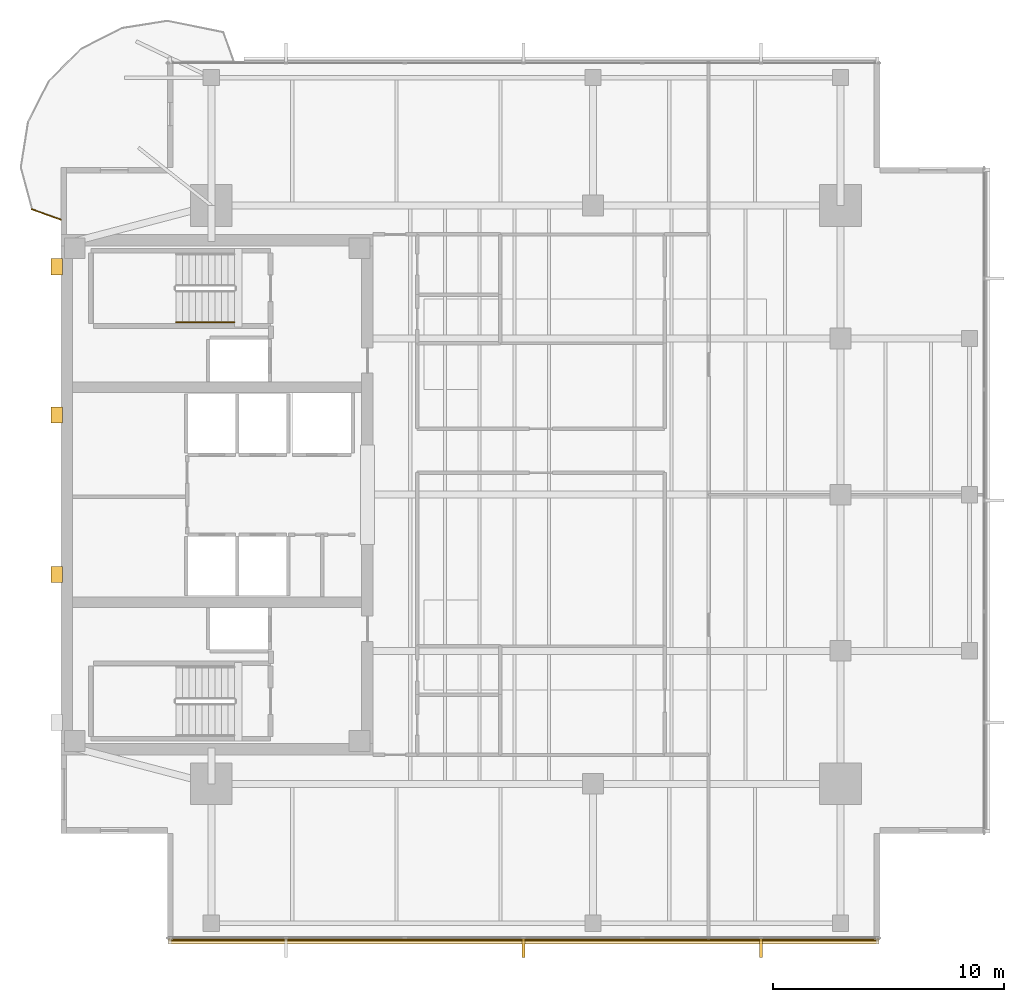
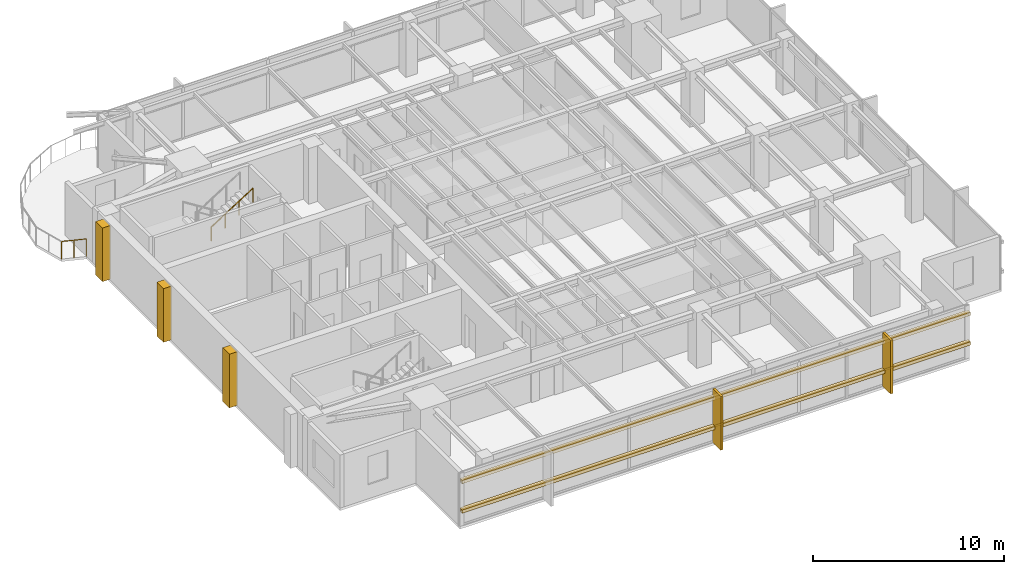
# One storey, part 12 of 14: 7 coverings, 2 railings, 2 shading devices.
"""IFC4 building model written with IfcOpenShell, lengths in metres."""

import ifcopenshell
import ifcopenshell.guid

model = None  # the IFC model being written
_history = None  # IfcOwnerHistory: only IFC2X3 demands one
_inside = {}  # id of a spatial element -> (the spatial element, [elements in it])
_under = {}  # id of a project, library or spatial element -> (it, [spatial elements below it])
_declared = {}  # id of a project -> (the project, [libraries it declares])
_typed = {}  # id of a type object -> (the type object, [elements of that type])
_made_of = {}  # id of a material, layer set ... -> (it, [elements and type objects made of it])


def new_model(schema):
    """Start an empty IFC model of exactly this schema.

    Asked for "IFC4X3", IfcOpenShell would pick the latest addendum, in which some entities
    have other attributes; the version numbers below select the first issue.
    IFC2X3 requires an IfcOwnerHistory on every rooted entity: one is made here for all.
    """
    global model, _history
    if schema == "IFC4X3":
        model = ifcopenshell.file(schema_version=(4, 3, 0, 0))
    else:
        model = ifcopenshell.file(schema=schema)
    _inside.clear()
    _under.clear()
    _declared.clear()
    _typed.clear()
    _made_of.clear()
    _history = None
    if model.schema == "IFC2X3":
        org = make("IfcOrganization", Name="unknown")
        user = make(
            "IfcPersonAndOrganization",
            ThePerson=make("IfcPerson", FamilyName="unknown"),
            TheOrganization=org,
        )
        app = make(
            "IfcApplication",
            ApplicationDeveloper=org,
            Version="unknown",
            ApplicationFullName="unknown",
            ApplicationIdentifier="unknown",
        )
        _history = make(
            "IfcOwnerHistory",
            OwningUser=user,
            OwningApplication=app,
            ChangeAction="ADDED",
            CreationDate=0,
        )
    return model


def make(cls, **values):
    """One entity of the class cls with the attributes given. An attribute that is None is left unset."""
    return model.create_entity(
        cls, **{name: value for name, value in values.items() if value is not None}
    )


def rooted(cls, **values):
    """An entity with a GlobalId (a new one), such as an element, a storey or a relation."""
    return make(cls, GlobalId=ifcopenshell.guid.new(), OwnerHistory=_history, **values)


def si_unit(unit_type, name, prefix=None):
    """IfcSIUnit, for example si_unit("LENGTHUNIT", "METRE", prefix="MILLI")."""
    return make("IfcSIUnit", UnitType=unit_type, Prefix=prefix, Name=name)


def assignment(units):
    """IfcUnitAssignment: the units of a project."""
    return None if units is None else make("IfcUnitAssignment", Units=units)


def point(xyz):
    """IfcCartesianPoint."""
    return None if xyz is None else make("IfcCartesianPoint", Coordinates=xyz)


def direction(xyz):
    """IfcDirection."""
    return None if xyz is None else make("IfcDirection", DirectionRatios=xyz)


def frame(location, z_axis=None, x_axis=None):
    """IfcAxis2Placement3D, a coordinate frame: its origin and axes. An axis left out is left unset."""
    return make(
        "IfcAxis2Placement3D",
        Location=point(location),
        Axis=direction(z_axis),
        RefDirection=direction(x_axis),
    )


def frame_2d(location, x_axis=None):
    """IfcAxis2Placement2D, a coordinate frame in the plane: its origin and x axis."""
    return make(
        "IfcAxis2Placement2D", Location=point(location), RefDirection=direction(x_axis)
    )


def origin():
    """The frame at (0, 0, 0) with its axes left unset."""
    return frame((0.0, 0.0, 0.0))


def origin_2d():
    """The frame at (0, 0) in the plane with its x axis left unset."""
    return frame_2d((0.0, 0.0))


def place(relative_to, where):
    """IfcLocalPlacement: puts the frame where relative to a parent placement (None: the world)."""
    return make(
        "IfcLocalPlacement", PlacementRelTo=relative_to, RelativePlacement=where
    )


def context(
    kind, dimensions, precision=None, world=None, true_north=None, identifier=None
):
    """IfcGeometricRepresentationContext, for example the 3D "Model" context."""
    return make(
        "IfcGeometricRepresentationContext",
        ContextIdentifier=identifier,
        ContextType=kind,
        CoordinateSpaceDimension=dimensions,
        Precision=precision,
        WorldCoordinateSystem=world,
        TrueNorth=true_north,
    )


def subcontext(parent, identifier, kind, view, scale=None):
    """IfcGeometricRepresentationSubContext, for example "Body" below "Model"."""
    return make(
        "IfcGeometricRepresentationSubContext",
        ContextIdentifier=identifier,
        ContextType=kind,
        ParentContext=parent,
        TargetScale=scale,
        TargetView=view,
    )


def project(units=None, contexts=None):
    """IfcProject with its units and contexts."""
    return rooted(
        "IfcProject",
        Name="project",
        RepresentationContexts=contexts,
        UnitsInContext=assignment(units),
    )


def spatial(cls, under=None, at=None, **own):
    """A site, building, storey or space (cls), placed at a placement, below another one or the project."""
    s = rooted(cls, ObjectPlacement=at, **own)
    if under is not None:
        _under.setdefault(under.id(), (under, []))[1].append(s)
    return s


def polyline(points):
    """IfcPolyline through the points."""
    return make("IfcPolyline", Points=[point(p) for p in points])


def profile(cls, at=None, kind="AREA", **sizes):
    """A parametric profile (cls). Its sizes go by their IFC names, for example OverallWidth=200.0."""
    return make(cls, ProfileType=kind, Position=at, **sizes)


def rectangle(**sizes):
    """IfcRectangleProfileDef."""
    return profile("IfcRectangleProfileDef", **sizes)


def circle(**sizes):
    """IfcCircleProfileDef."""
    return profile("IfcCircleProfileDef", **sizes)


def outline(outer, holes=None, kind="AREA"):
    """IfcArbitraryClosedProfileDef: a profile drawn as a closed curve; with holes, ...WithVoids."""
    if holes is None:
        return make("IfcArbitraryClosedProfileDef", ProfileType=kind, OuterCurve=outer)
    return make(
        "IfcArbitraryProfileDefWithVoids",
        ProfileType=kind,
        OuterCurve=outer,
        InnerCurves=holes,
    )


def extrude(swept, where, along, depth):
    """IfcExtrudedAreaSolid: the profile swept, set in the frame where, extruded along a direction by depth."""
    return make(
        "IfcExtrudedAreaSolid",
        SweptArea=swept,
        Position=where,
        ExtrudedDirection=direction(along),
        Depth=depth,
    )


def shape(context_of_items, identifier, shape_type, items):
    """IfcShapeRepresentation: the items that make up one representation, for example the "Body"."""
    return make(
        "IfcShapeRepresentation",
        ContextOfItems=context_of_items,
        RepresentationIdentifier=identifier,
        RepresentationType=shape_type,
        Items=items,
    )


def material(Name=None, Category=None):
    """IfcMaterial."""
    return make("IfcMaterial", Name=Name, Category=Category)


def layer(
    of_material, thickness, ventilated=None, Name=None, Category=None, Priority=None
):
    """IfcMaterialLayer: one layer of a wall or slab, of a material (None: an air gap)."""
    return make(
        "IfcMaterialLayer",
        Material=of_material,
        LayerThickness=thickness,
        IsVentilated=ventilated,
        Name=Name,
        Category=Category,
        Priority=Priority,
    )


def layer_set(layers, Name=None):
    """IfcMaterialLayerSet."""
    return make("IfcMaterialLayerSet", MaterialLayers=layers, LayerSetName=Name)


def material_profile(
    of_material, cross_section, Name=None, Category=None, Priority=None
):
    """IfcMaterialProfile: a cross section and its material."""
    return make(
        "IfcMaterialProfile",
        Name=Name,
        Material=of_material,
        Profile=cross_section,
        Priority=Priority,
        Category=Category,
    )


def profile_set(profiles, Name=None, composite=None):
    """IfcMaterialProfileSet."""
    return make(
        "IfcMaterialProfileSet",
        Name=Name,
        MaterialProfiles=profiles,
        CompositeProfile=composite,
    )


def made_of(thing, what):
    """Note that an element or type object is made of a material, layer set ...; save() writes the relation."""
    if what is not None:
        _made_of.setdefault(what.id(), (what, []))[1].append(thing)
    return thing


def type_object(cls, material=None, **own):
    """A type object (cls), such as IfcWallType, which elements share."""
    return made_of(rooted(cls, **own), material)


def element(
    cls,
    number,
    at=None,
    inside=None,
    cuts=None,
    type_object=None,
    material=None,
    context=None,
    identifier="Body",
    shape_type=None,
    held_by="IfcProductDefinitionShape",
    body=None,
    shapes=None,
    **own,
):
    """One element of the class cls, such as IfcWall. Its Tag is "e" and its number.

    at: its placement. inside: the storey or other place that contains it. cuts: it is an
    opening in that element (IfcRelVoidsElement). A single representation is given by context,
    identifier, shape_type and body (its items); several are given by shapes. held_by: the class
    of the entity that holds the representations. save() writes the other relations.
    """
    e = rooted(cls, Tag="e%d" % number, ObjectPlacement=at, **own)
    if body is not None:
        shapes = [shape(context, identifier, shape_type, body)]
    if shapes is not None:
        e.Representation = make(held_by, Representations=shapes)
    if inside is not None:
        _inside.setdefault(inside.id(), (inside, []))[1].append(e)
    if cuts is not None:
        rooted(
            "IfcRelVoidsElement", RelatingBuildingElement=cuts, RelatedOpeningElement=e
        )
    if type_object is not None:
        _typed.setdefault(type_object.id(), (type_object, []))[1].append(e)
    return made_of(e, material)


def aggregate(whole, parts):
    """IfcRelAggregates: a whole, such as a stair, and the parts it consists of."""
    return rooted("IfcRelAggregates", RelatingObject=whole, RelatedObjects=parts)


def save(model, path):
    """Write the relations noted so far, then the file.

    IfcRelAggregates (storeys below a building ...), IfcRelContainedInSpatialStructure (elements
    in a storey), IfcRelDefinesByType, IfcRelAssociatesMaterial and IfcRelDeclares: one each for
    every whole, place, type object, material and project.
    """
    for whole, parts in _under.values():
        aggregate(whole, parts)
    for where, things in _inside.values():
        rooted(
            "IfcRelContainedInSpatialStructure",
            RelatedElements=things,
            RelatingStructure=where,
        )
    for kind, things in _typed.values():
        rooted("IfcRelDefinesByType", RelatedObjects=things, RelatingType=kind)
    for what, things in _made_of.values():
        rooted("IfcRelAssociatesMaterial", RelatedObjects=things, RelatingMaterial=what)
    for by, libraries in _declared.values():
        rooted("IfcRelDeclares", RelatingContext=by, RelatedDefinitions=libraries)
    model.write(path)


model = new_model("IFC4")

# Units and contexts
model_context = context("Model", 3, precision=1e-05, world=origin(), true_north=direction((0.0, 1.0)))
body_context = subcontext(model_context, "Body", "Model", "MODEL_VIEW")
ifc_project = project(units=[si_unit("LENGTHUNIT", "METRE"), si_unit("AREAUNIT", "SQUARE_METRE"), si_unit("VOLUMEUNIT", "CUBIC_METRE"), si_unit("PLANEANGLEUNIT", "RADIAN"), si_unit("MASSUNIT", "GRAM", prefix="KILO")], contexts=[model_context])

# Site, building, storey
site_placement = place(None, origin())
site = spatial("IfcSite", under=ifc_project, at=site_placement, CompositionType="ELEMENT")
building_placement = place(site_placement, origin())
building = spatial("IfcBuilding", under=site, at=building_placement, Name="Kinhvarn Gate Tower", CompositionType="ELEMENT")
storey_placement = place(building_placement, frame((0.0, 0.0, 267.0)))
storey = spatial("IfcBuildingStorey", under=building, at=storey_placement, Name="L71", CompositionType="ELEMENT", Elevation=267.0)

# Coverings
ifc_material_1 = material(Name="Fired architectural terracotta", Category="masonry")
ifc_layer_1 = layer(ifc_material_1, 0.239990234375)
ifc_layer_set_1 = layer_set([ifc_layer_1], Name="Fired architectural terracotta")
covering_type_1 = type_object("IfcCoveringType", Name="COV-BAG-220", PredefinedType="CLADDING", material=ifc_layer_set_1)
for number, where, name in (
    (1, (0.0, 0.0, 0.93994140625), "Terracotta Horizontal Sunscreen Band TBG-220 (L71)"),
    (2, (0.0, 0.0, 2.830078125), "Terracotta Horizontal Sunscreen Band TBG-220 (L71)"),
):
    element("IfcCovering", number, at=place(storey_placement, frame(where)), inside=storey, type_object=covering_type_1, Name=name, PredefinedType="CLADDING", context=body_context, shape_type="SweptSolid", body=[
        extrude(outline(polyline([(9.139892578125, 6.070068359375), (39.860107421875, 6.070068359375), (39.860107421875, 5.830078125), (9.139892578125, 5.830078125), (9.139892578125, 6.070068359375)])), origin(), (0.0, 0.0, 1.0), 0.219970703125),
    ])
ifc_layer_2 = layer(ifc_material_1, 0.139892578125)
ifc_layer_set_2 = layer_set([ifc_layer_2], Name="Fired architectural terracotta")
covering_type_2 = type_object("IfcCoveringType", Name="COV-FIN-850", PredefinedType="CLADDING", material=ifc_layer_set_2)
covering_1_placement = place(storey_placement, frame((0.0, 0.0, -0.02001953125)))
element("IfcCovering", 3, at=covering_1_placement, inside=storey, type_object=covering_type_2, Name="Vertical Terracotta Expressive Fin TFN-850 (L71)", PredefinedType="CLADDING", context=body_context, shape_type="SweptSolid", body=[
    extrude(outline(polyline([(24.429931640625, 6.080078125), (24.570068359375, 6.080078125), (24.570068359375, 5.22998046875), (24.429931640625, 5.22998046875), (24.429931640625, 6.080078125)])), origin(), (0.0, 0.0, 1.0), 3.429931640625),
])
covering_2_placement = place(storey_placement, frame((0.0, 0.0, -0.02001953125)))
element("IfcCovering", 4, at=covering_2_placement, inside=storey, type_object=covering_type_2, Name="Vertical Terracotta Expressive Fin TFN-850 (L71)", PredefinedType="CLADDING", context=body_context, shape_type="SweptSolid", body=[
    extrude(outline(polyline([(34.69677734375, 6.080078125), (34.836669921875, 6.080078125), (34.836669921875, 5.22998046875), (34.69677734375, 5.22998046875), (34.69677734375, 6.080078125)])), origin(), (0.0, 0.0, 1.0), 3.429931640625),
])
ifc_material_2 = material(Name="Precast white architectural concrete C40/50", Category="concrete")
ifc_layer_3 = layer(ifc_material_2, 0.47998046875)
ifc_layer_set_3 = layer_set([ifc_layer_3], Name="Precast white architectural concrete C40/50")
covering_type_3 = type_object("IfcCoveringType", Name="COV-RIB-450", PredefinedType="CLADDING", material=ifc_layer_set_3)
covering_3_placement = place(storey_placement, frame((0.0, 0.0, -0.02001953125)))
element("IfcCovering", 5, at=covering_3_placement, inside=storey, type_object=covering_type_3, Name="West Core Sculptural Concrete Relief Rib CRB-450 (L71)", PredefinedType="CLADDING", context=body_context, shape_type="SweptSolid", body=[
    extrude(outline(polyline([(4.080078125, 21.449951171875), (4.56005859375, 21.449951171875), (4.56005859375, 22.14990234375), (4.080078125, 22.14990234375), (4.080078125, 21.449951171875)])), origin(), (0.0, 0.0, 1.0), 3.429931640625),
])
covering_4_placement = place(storey_placement, frame((0.0, 0.0, -0.02001953125)))
element("IfcCovering", 6, at=covering_4_placement, inside=storey, type_object=covering_type_3, Name="West Core Sculptural Concrete Relief Rib CRB-450 (L71)", PredefinedType="CLADDING", context=body_context, shape_type="SweptSolid", body=[
    extrude(outline(polyline([(4.080078125, 28.35009765625), (4.56005859375, 28.35009765625), (4.56005859375, 29.050048828125), (4.080078125, 29.050048828125), (4.080078125, 28.35009765625)])), origin(), (0.0, 0.0, 1.0), 3.429931640625),
])
covering_5_placement = place(storey_placement, frame((0.0, 0.0, -0.02001953125)))
element("IfcCovering", 7, at=covering_5_placement, inside=storey, type_object=covering_type_3, Name="West Core Sculptural Concrete Relief Rib CRB-450 (L71)", PredefinedType="CLADDING", context=body_context, shape_type="SweptSolid", body=[
    extrude(outline(polyline([(4.080078125, 34.75), (4.56005859375, 34.75), (4.56005859375, 35.449951171875), (4.080078125, 35.449951171875), (4.080078125, 34.75)])), origin(), (0.0, 0.0, 1.0), 3.429931640625),
])

# Railings
ifc_material_3 = material(Name="Clear low-e double glazing", Category="glass")
railing_type_1 = type_object("IfcRailingType", Name="RL-BAL-1150", PredefinedType="BALUSTRADE", material=ifc_material_3)
railing_1_placement = place(storey_placement, frame((3.2421875, 37.587890625, 0.0)))
element("IfcRailing", 8, at=railing_1_placement, inside=storey, type_object=railing_type_1, Name="S-Carve Balcony Guardrail Seg 9 (L71)", PredefinedType="BALUSTRADE", context=body_context, shape_type="SweptSolid", body=[
    extrude(circle(Radius=0.02392578125, at=origin_2d()), frame((0.0, 0.0, 1.1259765625), z_axis=(0.941568124815, -0.336822603656, 0.0), x_axis=(0.336822603656, 0.941568124815, 0.0)), (0.0, 0.0, 1.0), 1.3359375),
    extrude(circle(Radius=0.02099609375, at=origin_2d()), origin(), (0.0, 0.0, 1.0), 1.101806640625),
    extrude(circle(Radius=0.02099609375, at=origin_2d()), frame((0.62890625, -0.22509765625, 0.0)), (0.0, 0.0, 1.0), 1.101806640625),
    extrude(circle(Radius=0.02099609375, at=origin_2d()), frame((1.2578125, -0.449951171875, 0.0)), (0.0, 0.0, 1.0), 1.101806640625),
])
ifc_material_4 = material(Name="Steel S355", Category="steel")
railing_type_2 = type_object("IfcRailingType", Name="RL-ST-HND", PredefinedType="HANDRAIL", material=ifc_material_4)
railing_2_placement = place(storey_placement, frame((9.47998046875, 32.699951171875, 1.952392578125)))
element("IfcRailing", 9, at=railing_2_placement, inside=storey, type_object=railing_type_2, Name="L71 ST2 stair handrail 2", PredefinedType="HANDRAIL", context=body_context, shape_type="SweptSolid", body=[
    extrude(circle(Radius=0.02392578125, at=origin_2d()), frame((0.0, 0.0, 0.8759765625), z_axis=(0.84456994832, 0.0, 0.535445237532), x_axis=(0.0, 1.0, 0.0)), (0.0, 0.0, 1.0), 2.98388671875),
    extrude(circle(Radius=0.02099609375, at=origin_2d()), origin(), (0.0, 0.0, 1.0), 0.851806640625),
    extrude(circle(Radius=0.02099609375, at=origin_2d()), frame((0.840087890625, 0.0, 0.532470703125)), (0.0, 0.0, 1.0), 0.851806640625),
    extrude(circle(Radius=0.02099609375, at=origin_2d()), frame((1.679931640625, 0.0, 1.065185546875)), (0.0, 0.0, 1.0), 0.851806640625),
    extrude(circle(Radius=0.02099609375, at=origin_2d()), frame((2.52001953125, 0.0, 1.59765625)), (0.0, 0.0, 1.0), 0.851806640625),
])

# Shading devices
ifc_material_profile = material_profile(ifc_material_1, rectangle(XDim=0.050048828125, YDim=0.1201171875, at=origin_2d()), Name="TC 50x120")
ifc_profile_set = profile_set([ifc_material_profile], Name="Fired architectural terracotta")
shading_device_type = type_object("IfcShadingDeviceType", Name="SHD-BAG-140", PredefinedType="USERDEFINED", material=ifc_profile_set)
for number, where, z_axis, x_axis, name in (
    (10, (9.139892578125, 6.0, 1.050048828125), (1.0, 0.0, 0.0), (0.0, 1.0, 0.0), "Upper Tower Terracotta Baguette Screen Rod 50x120 mm (L71)"),
    (11, (9.139892578125, 6.0, 2.93994140625), (1.0, 0.0, 0.0), (0.0, 1.0, 0.0), "Upper Tower Terracotta Baguette Screen Rod 50x120 mm (L71)"),
):
    element("IfcShadingDevice", number, at=place(storey_placement, frame(where, z_axis=z_axis, x_axis=x_axis)), inside=storey, type_object=shading_device_type, Name=name, ObjectType="BAGUETTE", PredefinedType="USERDEFINED", context=body_context, shape_type="SweptSolid", body=[
        extrude(rectangle(XDim=0.050048828125, YDim=0.1201171875, at=origin_2d()), origin(), (0.0, 0.0, 1.0), 30.72021484375),
    ])

save(model, "model.ifc")
